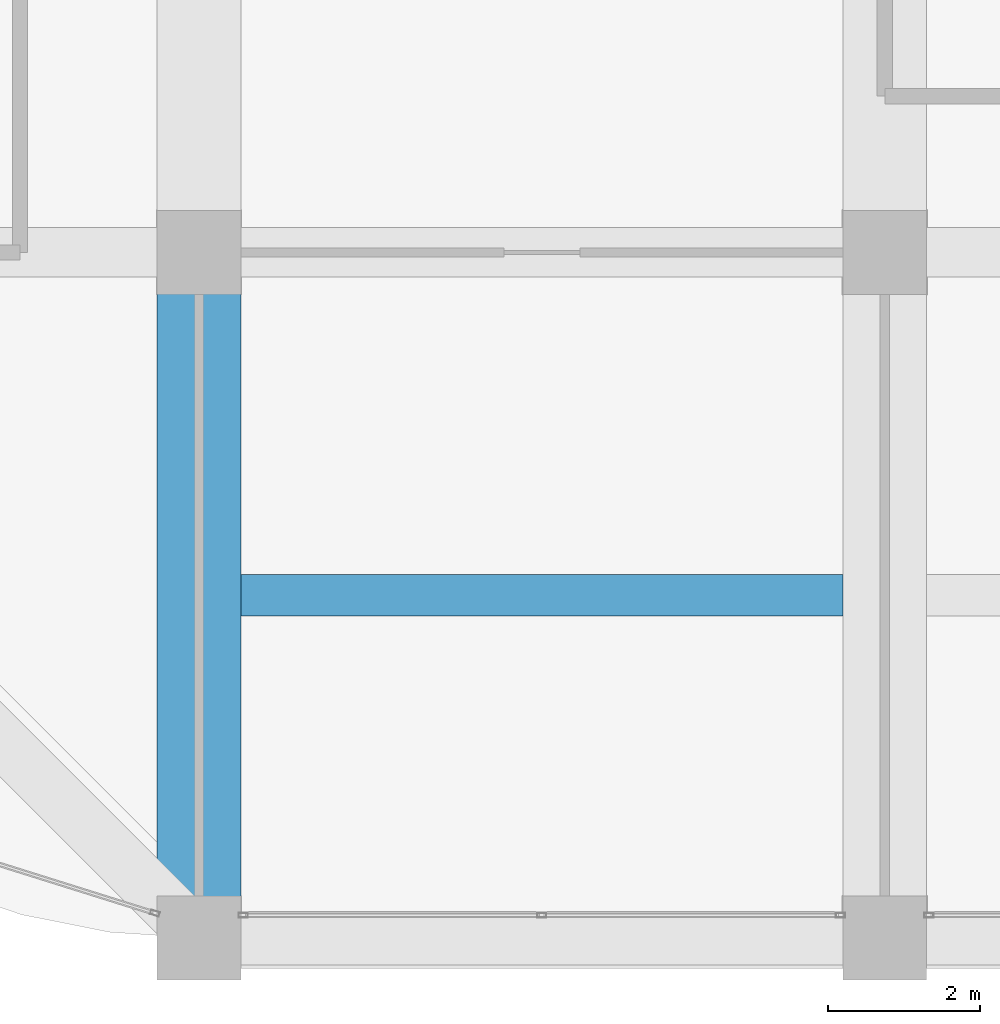
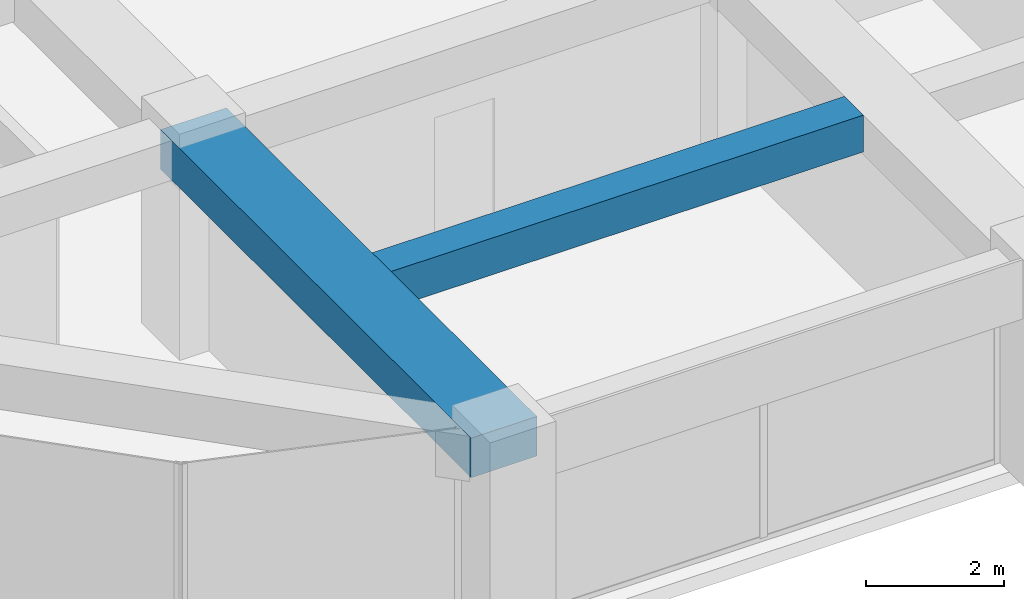
# One storey, part 5 of 44: 2 beams.
"""IFC4 building model written with IfcOpenShell, lengths in metres."""

import ifcopenshell
import ifcopenshell.guid

model = None  # the IFC model being written
_history = None  # IfcOwnerHistory: only IFC2X3 demands one
_inside = {}  # id of a spatial element -> (the spatial element, [elements in it])
_under = {}  # id of a project, library or spatial element -> (it, [spatial elements below it])
_declared = {}  # id of a project -> (the project, [libraries it declares])
_typed = {}  # id of a type object -> (the type object, [elements of that type])
_made_of = {}  # id of a material, layer set ... -> (it, [elements and type objects made of it])


def new_model(schema):
    """Start an empty IFC model of exactly this schema.

    Asked for "IFC4X3", IfcOpenShell would pick the latest addendum, in which some entities
    have other attributes; the version numbers below select the first issue.
    IFC2X3 requires an IfcOwnerHistory on every rooted entity: one is made here for all.
    """
    global model, _history
    if schema == "IFC4X3":
        model = ifcopenshell.file(schema_version=(4, 3, 0, 0))
    else:
        model = ifcopenshell.file(schema=schema)
    _inside.clear()
    _under.clear()
    _declared.clear()
    _typed.clear()
    _made_of.clear()
    _history = None
    if model.schema == "IFC2X3":
        org = make("IfcOrganization", Name="unknown")
        user = make(
            "IfcPersonAndOrganization",
            ThePerson=make("IfcPerson", FamilyName="unknown"),
            TheOrganization=org,
        )
        app = make(
            "IfcApplication",
            ApplicationDeveloper=org,
            Version="unknown",
            ApplicationFullName="unknown",
            ApplicationIdentifier="unknown",
        )
        _history = make(
            "IfcOwnerHistory",
            OwningUser=user,
            OwningApplication=app,
            ChangeAction="ADDED",
            CreationDate=0,
        )
    return model


def make(cls, **values):
    """One entity of the class cls with the attributes given. An attribute that is None is left unset."""
    return model.create_entity(
        cls, **{name: value for name, value in values.items() if value is not None}
    )


def rooted(cls, **values):
    """An entity with a GlobalId (a new one), such as an element, a storey or a relation."""
    return make(cls, GlobalId=ifcopenshell.guid.new(), OwnerHistory=_history, **values)


def si_unit(unit_type, name, prefix=None):
    """IfcSIUnit, for example si_unit("LENGTHUNIT", "METRE", prefix="MILLI")."""
    return make("IfcSIUnit", UnitType=unit_type, Prefix=prefix, Name=name)


def assignment(units):
    """IfcUnitAssignment: the units of a project."""
    return None if units is None else make("IfcUnitAssignment", Units=units)


def point(xyz):
    """IfcCartesianPoint."""
    return None if xyz is None else make("IfcCartesianPoint", Coordinates=xyz)


def direction(xyz):
    """IfcDirection."""
    return None if xyz is None else make("IfcDirection", DirectionRatios=xyz)


def frame(location, z_axis=None, x_axis=None):
    """IfcAxis2Placement3D, a coordinate frame: its origin and axes. An axis left out is left unset."""
    return make(
        "IfcAxis2Placement3D",
        Location=point(location),
        Axis=direction(z_axis),
        RefDirection=direction(x_axis),
    )


def frame_2d(location, x_axis=None):
    """IfcAxis2Placement2D, a coordinate frame in the plane: its origin and x axis."""
    return make(
        "IfcAxis2Placement2D", Location=point(location), RefDirection=direction(x_axis)
    )


def origin():
    """The frame at (0, 0, 0) with its axes left unset."""
    return frame((0.0, 0.0, 0.0))


def origin_2d():
    """The frame at (0, 0) in the plane with its x axis left unset."""
    return frame_2d((0.0, 0.0))


def place(relative_to, where):
    """IfcLocalPlacement: puts the frame where relative to a parent placement (None: the world)."""
    return make(
        "IfcLocalPlacement", PlacementRelTo=relative_to, RelativePlacement=where
    )


def context(
    kind, dimensions, precision=None, world=None, true_north=None, identifier=None
):
    """IfcGeometricRepresentationContext, for example the 3D "Model" context."""
    return make(
        "IfcGeometricRepresentationContext",
        ContextIdentifier=identifier,
        ContextType=kind,
        CoordinateSpaceDimension=dimensions,
        Precision=precision,
        WorldCoordinateSystem=world,
        TrueNorth=true_north,
    )


def subcontext(parent, identifier, kind, view, scale=None):
    """IfcGeometricRepresentationSubContext, for example "Body" below "Model"."""
    return make(
        "IfcGeometricRepresentationSubContext",
        ContextIdentifier=identifier,
        ContextType=kind,
        ParentContext=parent,
        TargetScale=scale,
        TargetView=view,
    )


def project(units=None, contexts=None):
    """IfcProject with its units and contexts."""
    return rooted(
        "IfcProject",
        Name="project",
        RepresentationContexts=contexts,
        UnitsInContext=assignment(units),
    )


def spatial(cls, under=None, at=None, **own):
    """A site, building, storey or space (cls), placed at a placement, below another one or the project."""
    s = rooted(cls, ObjectPlacement=at, **own)
    if under is not None:
        _under.setdefault(under.id(), (under, []))[1].append(s)
    return s


def profile(cls, at=None, kind="AREA", **sizes):
    """A parametric profile (cls). Its sizes go by their IFC names, for example OverallWidth=200.0."""
    return make(cls, ProfileType=kind, Position=at, **sizes)


def rectangle(**sizes):
    """IfcRectangleProfileDef."""
    return profile("IfcRectangleProfileDef", **sizes)


def extrude(swept, where, along, depth):
    """IfcExtrudedAreaSolid: the profile swept, set in the frame where, extruded along a direction by depth."""
    return make(
        "IfcExtrudedAreaSolid",
        SweptArea=swept,
        Position=where,
        ExtrudedDirection=direction(along),
        Depth=depth,
    )


def shape(context_of_items, identifier, shape_type, items):
    """IfcShapeRepresentation: the items that make up one representation, for example the "Body"."""
    return make(
        "IfcShapeRepresentation",
        ContextOfItems=context_of_items,
        RepresentationIdentifier=identifier,
        RepresentationType=shape_type,
        Items=items,
    )


def material(Name=None, Category=None):
    """IfcMaterial."""
    return make("IfcMaterial", Name=Name, Category=Category)


def material_profile(
    of_material, cross_section, Name=None, Category=None, Priority=None
):
    """IfcMaterialProfile: a cross section and its material."""
    return make(
        "IfcMaterialProfile",
        Name=Name,
        Material=of_material,
        Profile=cross_section,
        Priority=Priority,
        Category=Category,
    )


def profile_set(profiles, Name=None, composite=None):
    """IfcMaterialProfileSet."""
    return make(
        "IfcMaterialProfileSet",
        Name=Name,
        MaterialProfiles=profiles,
        CompositeProfile=composite,
    )


def made_of(thing, what):
    """Note that an element or type object is made of a material, layer set ...; save() writes the relation."""
    if what is not None:
        _made_of.setdefault(what.id(), (what, []))[1].append(thing)
    return thing


def type_object(cls, material=None, **own):
    """A type object (cls), such as IfcWallType, which elements share."""
    return made_of(rooted(cls, **own), material)


def element(
    cls,
    number,
    at=None,
    inside=None,
    cuts=None,
    type_object=None,
    material=None,
    context=None,
    identifier="Body",
    shape_type=None,
    held_by="IfcProductDefinitionShape",
    body=None,
    shapes=None,
    **own,
):
    """One element of the class cls, such as IfcWall. Its Tag is "e" and its number.

    at: its placement. inside: the storey or other place that contains it. cuts: it is an
    opening in that element (IfcRelVoidsElement). A single representation is given by context,
    identifier, shape_type and body (its items); several are given by shapes. held_by: the class
    of the entity that holds the representations. save() writes the other relations.
    """
    e = rooted(cls, Tag="e%d" % number, ObjectPlacement=at, **own)
    if body is not None:
        shapes = [shape(context, identifier, shape_type, body)]
    if shapes is not None:
        e.Representation = make(held_by, Representations=shapes)
    if inside is not None:
        _inside.setdefault(inside.id(), (inside, []))[1].append(e)
    if cuts is not None:
        rooted(
            "IfcRelVoidsElement", RelatingBuildingElement=cuts, RelatedOpeningElement=e
        )
    if type_object is not None:
        _typed.setdefault(type_object.id(), (type_object, []))[1].append(e)
    return made_of(e, material)


def aggregate(whole, parts):
    """IfcRelAggregates: a whole, such as a stair, and the parts it consists of."""
    return rooted("IfcRelAggregates", RelatingObject=whole, RelatedObjects=parts)


def save(model, path):
    """Write the relations noted so far, then the file.

    IfcRelAggregates (storeys below a building ...), IfcRelContainedInSpatialStructure (elements
    in a storey), IfcRelDefinesByType, IfcRelAssociatesMaterial and IfcRelDeclares: one each for
    every whole, place, type object, material and project.
    """
    for whole, parts in _under.values():
        aggregate(whole, parts)
    for where, things in _inside.values():
        rooted(
            "IfcRelContainedInSpatialStructure",
            RelatedElements=things,
            RelatingStructure=where,
        )
    for kind, things in _typed.values():
        rooted("IfcRelDefinesByType", RelatedObjects=things, RelatingType=kind)
    for what, things in _made_of.values():
        rooted("IfcRelAssociatesMaterial", RelatedObjects=things, RelatingMaterial=what)
    for by, libraries in _declared.values():
        rooted("IfcRelDeclares", RelatingContext=by, RelatedDefinitions=libraries)
    model.write(path)


model = new_model("IFC4")

# Units and contexts
model_context = context("Model", 3, precision=1e-05, world=origin(), true_north=direction((0.0, 1.0)))
body_context = subcontext(model_context, "Body", "Model", "MODEL_VIEW")
ifc_project = project(units=[si_unit("LENGTHUNIT", "METRE"), si_unit("AREAUNIT", "SQUARE_METRE"), si_unit("VOLUMEUNIT", "CUBIC_METRE"), si_unit("PLANEANGLEUNIT", "RADIAN"), si_unit("MASSUNIT", "GRAM", prefix="KILO")], contexts=[model_context])

# Site, building, storey
site_placement = place(None, origin())
site = spatial("IfcSite", under=ifc_project, at=site_placement, CompositionType="ELEMENT")
building_placement = place(site_placement, origin())
building = spatial("IfcBuilding", under=site, at=building_placement, Name="Zorevar Civic Tower", CompositionType="ELEMENT")
storey_placement = place(building_placement, frame((0.0, 0.0, 267.39990234375)))
storey = spatial("IfcBuildingStorey", under=building, at=storey_placement, Name="L65", CompositionType="ELEMENT", Elevation=267.39990234375)

# Beams
ifc_material_1 = material(Name="Concrete C50/60", Category="concrete")
ifc_material_profile_1 = material_profile(ifc_material_1, rectangle(XDim=1.10009765625, YDim=0.699951171875, at=origin_2d()), Name="RC 1100x700")
ifc_profile_set_1 = profile_set([ifc_material_profile_1], Name="Concrete C50/60")
beam_type_1 = type_object("IfcBeamType", Name="Beam RC 1100x700", PredefinedType="BEAM", material=ifc_profile_set_1)
beam_1_placement = place(storey_placement, frame((18.0, 0.0, 3.400146484375), z_axis=(0.0, 1.0, 0.0), x_axis=(-1.0, 0.0, 0.0)))
element("IfcBeam", 1, at=beam_1_placement, inside=storey, type_object=beam_type_1, Name="Girder L66", PredefinedType="BEAM", context=body_context, shape_type="SweptSolid", body=[
    extrude(rectangle(XDim=1.10009765625, YDim=0.699951171875, at=origin_2d()), origin(), (0.0, 0.0, 1.0), 9.0),
])
ifc_material_2 = material(Name="Concrete C50/60", Category="concrete")
ifc_material_profile_2 = material_profile(ifc_material_2, rectangle(XDim=0.550048828125, YDim=0.64990234375, at=origin_2d()), Name="RC 550x650")
ifc_profile_set_2 = profile_set([ifc_material_profile_2], Name="Concrete C50/60")
beam_type_2 = type_object("IfcBeamType", Name="Beam RC 550x650", PredefinedType="BEAM", material=ifc_profile_set_2)
beam_2_placement = place(storey_placement, frame((18.550048828125, 4.5, 3.425048828125), z_axis=(1.0, 0.0, 0.0), x_axis=(0.0, 1.0, 0.0)))
element("IfcBeam", 2, at=beam_2_placement, inside=storey, type_object=beam_type_2, Name="Secondary beam L66", PredefinedType="BEAM", context=body_context, shape_type="SweptSolid", body=[
    extrude(rectangle(XDim=0.550048828125, YDim=0.64990234375, at=origin_2d()), origin(), (0.0, 0.0, 1.0), 7.89990234375),
])

save(model, "model.ifc")
